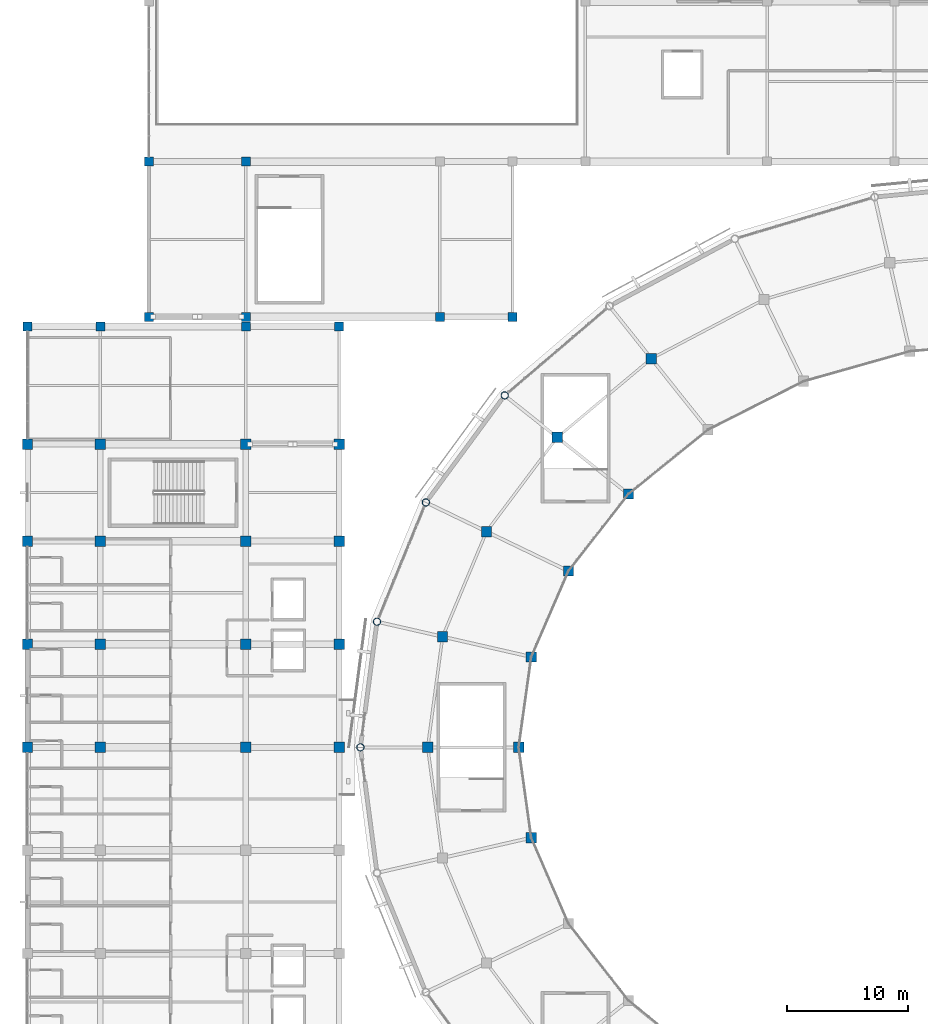
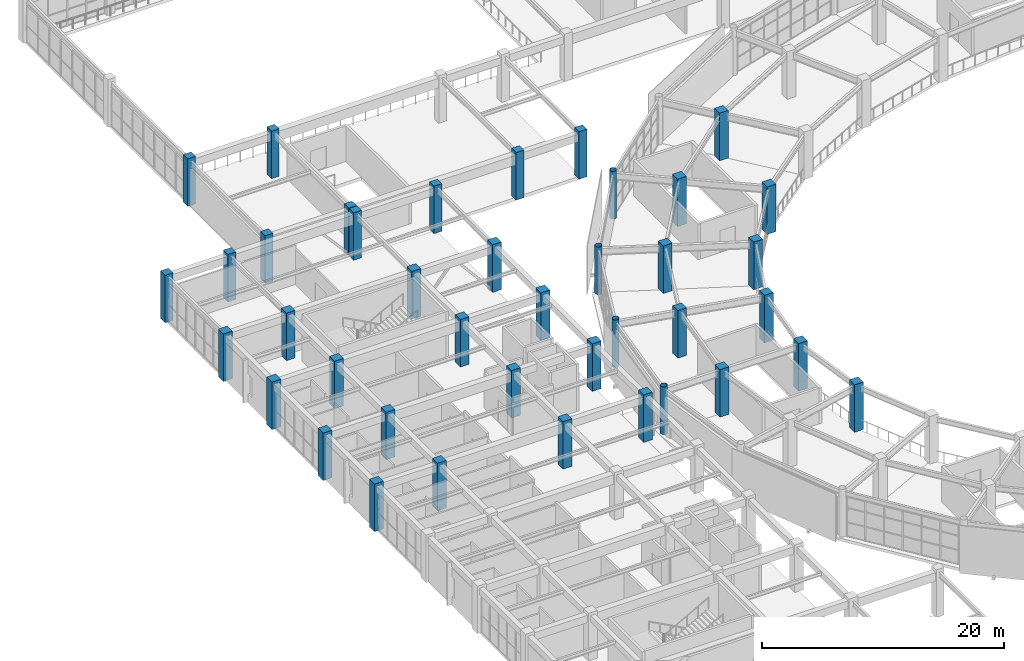
# One storey, part 7 of 112: 40 columns.
"""IFC4 building model written with IfcOpenShell, lengths in metres."""

from ifc_helpers import new_model, si_unit, direction, frame, origin, origin_2d, place, context, subcontext, project, spatial, rectangle, hollow_circle, extrude, material, material_profile, profile_set, type_object, element, save


model = new_model("IFC4")

# Units and contexts
model_context = context("Model", 3, precision=1e-05, world=origin(), true_north=direction((0.0, 1.0)))
body_context = subcontext(model_context, "Body", "Model", "MODEL_VIEW")
ifc_project = project(units=[si_unit("LENGTHUNIT", "METRE"), si_unit("AREAUNIT", "SQUARE_METRE"), si_unit("VOLUMEUNIT", "CUBIC_METRE"), si_unit("PLANEANGLEUNIT", "RADIAN"), si_unit("MASSUNIT", "GRAM", prefix="KILO")], contexts=[model_context])

# Site, building, storey
site_placement = place(None, origin())
site = spatial("IfcSite", under=ifc_project, at=site_placement, CompositionType="ELEMENT")
building_placement = place(site_placement, origin())
building = spatial("IfcBuilding", under=site, at=building_placement, Name="Cuetzalor Civic Arena", CompositionType="ELEMENT")
storey_placement = place(building_placement, frame((0.0, 0.0, 11.39990234375)))
storey = spatial("IfcBuildingStorey", under=building, at=storey_placement, Name="L02", CompositionType="ELEMENT", Elevation=11.39990234375)

# Columns
ifc_material_1 = material(Name="Concrete C40/50", Category="concrete")
ifc_material_profile_1 = material_profile(ifc_material_1, rectangle(XDim=0.75, YDim=0.75, at=origin_2d()), Name="RC 750x750")
ifc_profile_set_1 = profile_set([ifc_material_profile_1], Name="Concrete C40/50")
column_type_1 = type_object("IfcColumnType", Name="ConcreteColumn_750", PredefinedType="COLUMN", material=ifc_profile_set_1)
for number, where, z_axis, x_axis, name in (
    (1, (-82.0, 34.699951171875, 0.0), (0.0, 0.0, 1.0), (1.0, 0.0, 0.0), "Column V4W-C-01-11 L02"),
    (2, (-76.0, 34.699951171875, 0.0), (0.0, 0.0, 1.0), (1.0, 0.0, 0.0), "Column V4W-C-02-11 L02"),
    (3, (-64.0, 34.699951171875, 0.0), (0.0, 0.0, 1.0), (1.0, 0.0, 0.0), "Column V4W-C-03-11 L02"),
    (4, (-56.300048828125, 34.699951171875, 0.0), (0.0, 0.0, 1.0), (1.0, 0.0, 0.0), "Column V4W-C-04-11 L02"),
    (5, (-72.0, 35.5, 0.0), (0.0, 0.0, 1.0), (1.0, 0.0, 0.0), "Column V5-C-01-01 L02"),
    (6, (-72.0, 48.300048828125, 0.0), (0.0, 0.0, 1.0), (1.0, 0.0, 0.0), "Column V5-C-01-02 L02"),
    (7, (-64.0, 35.5, 0.0), (0.0, 0.0, 1.0), (1.0, 0.0, 0.0), "Column V5-C-02-01 L02"),
    (8, (-64.0, 48.300048828125, 0.0), (0.0, 0.0, 1.0), (1.0, 0.0, 0.0), "Column V5-C-02-02 L02"),
    (9, (-48.0, 35.5, 0.0), (0.0, 0.0, 1.0), (1.0, 0.0, 0.0), "Column V5-C-03-01 L02"),
    (10, (-42.0, 35.5, 0.0), (0.0, 0.0, 1.0), (1.0, 0.0, 0.0), "Column V5-C-04-01 L02"),
):
    element("IfcColumn", number, at=place(storey_placement, frame(where, z_axis=z_axis, x_axis=x_axis)), inside=storey, type_object=column_type_1, Name=name, PredefinedType="COLUMN", context=body_context, shape_type="SweptSolid", body=[
        extrude(rectangle(XDim=0.75, YDim=0.75, at=origin_2d()), origin(), (0.0, 0.0, 1.0), 4.800048828125),
    ])
ifc_material_2 = material(Name="Concrete C40/50", Category="concrete")
ifc_material_profile_2 = material_profile(ifc_material_2, rectangle(XDim=0.85009765625, YDim=0.85009765625, at=origin_2d()), Name="RC 850x850")
ifc_profile_set_2 = profile_set([ifc_material_profile_2], Name="Concrete C40/50")
column_type_2 = type_object("IfcColumnType", Name="ConcreteColumn_850", PredefinedType="COLUMN", material=ifc_profile_set_2)
for number, where, z_axis, x_axis, name in (
    (11, (-30.551025390625, 32.05517578125, 0.0), (0.0, 0.0, 1.0), (1.0, 0.0, 0.0), "Column V1-REC-11 L02"),
    (12, (-38.309814453125, 25.56298828125, 0.0), (0.0, 0.0, 1.0), (1.0, 0.0, 0.0), "Column V1-REC-12 L02"),
    (13, (-32.446044921875, 20.886962890625, 0.0), (0.0, 0.0, 1.0), (1.0, 0.0, 0.0), "Column V1-MID-12 L02"),
    (14, (-44.1474609375, 17.789306640625, 0.0), (0.0, 0.0, 1.0), (1.0, 0.0, 0.0), "Column V1-REC-13 L02"),
    (15, (-37.39013671875, 14.53515625, 0.0), (0.0, 0.0, 1.0), (1.0, 0.0, 0.0), "Column V1-MID-13 L02"),
    (16, (-47.771484375, 9.123291015625, 0.0), (0.0, 0.0, 1.0), (1.0, 0.0, 0.0), "Column V1-REC-14 L02"),
    (17, (-40.45947265625, 7.45458984375, 0.0), (0.0, 0.0, 1.0), (1.0, 0.0, 0.0), "Column V1-MID-14 L02"),
    (18, (-49.0, 0.0, 0.0), (0.0, 0.0, 1.0), (1.0, 0.0, 0.0), "Column V1-REC-15 L02"),
    (19, (-41.5, 0.0, 0.0), (0.0, 0.0, 1.0), (1.0, 0.0, 0.0), "Column V1-MID-15 L02"),
    (20, (-40.45947265625, -7.45458984375, 0.0), (0.0, 0.0, 1.0), (1.0, 0.0, 0.0), "Column V1-MID-16 L02"),
    (21, (-82.0, 0.0, 0.0), (0.0, 0.0, 1.0), (1.0, 0.0, 0.0), "Column V4W-C-01-07 L02"),
    (22, (-82.0, 8.5, 0.0), (0.0, 0.0, 1.0), (1.0, 0.0, 0.0), "Column V4W-C-01-08 L02"),
    (23, (-82.0, 17.0, 0.0), (0.0, 0.0, 1.0), (1.0, 0.0, 0.0), "Column V4W-C-01-09 L02"),
    (24, (-82.0, 25.0, 0.0), (0.0, 0.0, 1.0), (1.0, 0.0, 0.0), "Column V4W-C-01-10 L02"),
    (25, (-76.0, 0.0, 0.0), (0.0, 0.0, 1.0), (1.0, 0.0, 0.0), "Column V4W-C-02-07 L02"),
    (26, (-76.0, 8.5, 0.0), (0.0, 0.0, 1.0), (1.0, 0.0, 0.0), "Column V4W-C-02-08 L02"),
    (27, (-76.0, 17.0, 0.0), (0.0, 0.0, 1.0), (1.0, 0.0, 0.0), "Column V4W-C-02-09 L02"),
    (28, (-76.0, 25.0, 0.0), (0.0, 0.0, 1.0), (1.0, 0.0, 0.0), "Column V4W-C-02-10 L02"),
    (29, (-64.0, 0.0, 0.0), (0.0, 0.0, 1.0), (1.0, 0.0, 0.0), "Column V4W-C-03-07 L02"),
    (30, (-64.0, 8.5, 0.0), (0.0, 0.0, 1.0), (1.0, 0.0, 0.0), "Column V4W-C-03-08 L02"),
    (31, (-64.0, 17.0, 0.0), (0.0, 0.0, 1.0), (1.0, 0.0, 0.0), "Column V4W-C-03-09 L02"),
    (32, (-64.0, 25.0, 0.0), (0.0, 0.0, 1.0), (1.0, 0.0, 0.0), "Column V4W-C-03-10 L02"),
    (33, (-56.300048828125, 0.0, 0.0), (0.0, 0.0, 1.0), (1.0, 0.0, 0.0), "Column V4W-C-04-07 L02"),
    (34, (-56.300048828125, 8.5, 0.0), (0.0, 0.0, 1.0), (1.0, 0.0, 0.0), "Column V4W-C-04-08 L02"),
    (35, (-56.300048828125, 17.0, 0.0), (0.0, 0.0, 1.0), (1.0, 0.0, 0.0), "Column V4W-C-04-09 L02"),
    (36, (-56.300048828125, 25.0, 0.0), (0.0, 0.0, 1.0), (1.0, 0.0, 0.0), "Column V4W-C-04-10 L02"),
):
    element("IfcColumn", number, at=place(storey_placement, frame(where, z_axis=z_axis, x_axis=x_axis)), inside=storey, type_object=column_type_2, Name=name, PredefinedType="COLUMN", context=body_context, shape_type="SweptSolid", body=[
        extrude(rectangle(XDim=0.85009765625, YDim=0.85009765625, at=origin_2d()), origin(), (0.0, 0.0, 1.0), 4.800048828125),
    ])
ifc_material_3 = material(Name="Steel S355", Category="steel")
ifc_material_profile_3 = material_profile(ifc_material_3, hollow_circle(Radius=0.304931640625, WallThickness=0.02490234375, at=origin_2d()), Name="CHS 610x25")
ifc_profile_set_3 = profile_set([ifc_material_profile_3], Name="Steel S355")
column_type_3 = type_object("IfcColumnType", Name="SteelDomePylon_CHS610", PredefinedType="COLUMN", material=ifc_profile_set_3)
for number, where, z_axis, x_axis, name in (
    (37, (-42.64892578125, 29.0234375, 0.0), (0.0, 0.0, 1.0), (1.0, 0.0, 0.0), "Column V1-PYL-12 L02"),
    (38, (-49.14794921875, 20.197265625, 0.0), (0.0, 0.0, 1.0), (1.0, 0.0, 0.0), "Column V1-PYL-13 L02"),
    (39, (-53.182373046875, 10.3583984375, 0.0), (0.0, 0.0, 1.0), (1.0, 0.0, 0.0), "Column V1-PYL-14 L02"),
    (40, (-54.550048828125, 0.0, 0.0), (0.0, 0.0, 1.0), (1.0, 0.0, 0.0), "Column V1-PYL-15 L02"),
):
    element("IfcColumn", number, at=place(storey_placement, frame(where, z_axis=z_axis, x_axis=x_axis)), inside=storey, type_object=column_type_3, Name=name, PredefinedType="COLUMN", context=body_context, shape_type="SweptSolid", body=[
        extrude(hollow_circle(Radius=0.304931640625, WallThickness=0.02490234375, at=origin_2d()), origin(), (0.0, 0.0, 1.0), 4.800048828125),
    ])

save(model, "model.ifc")
